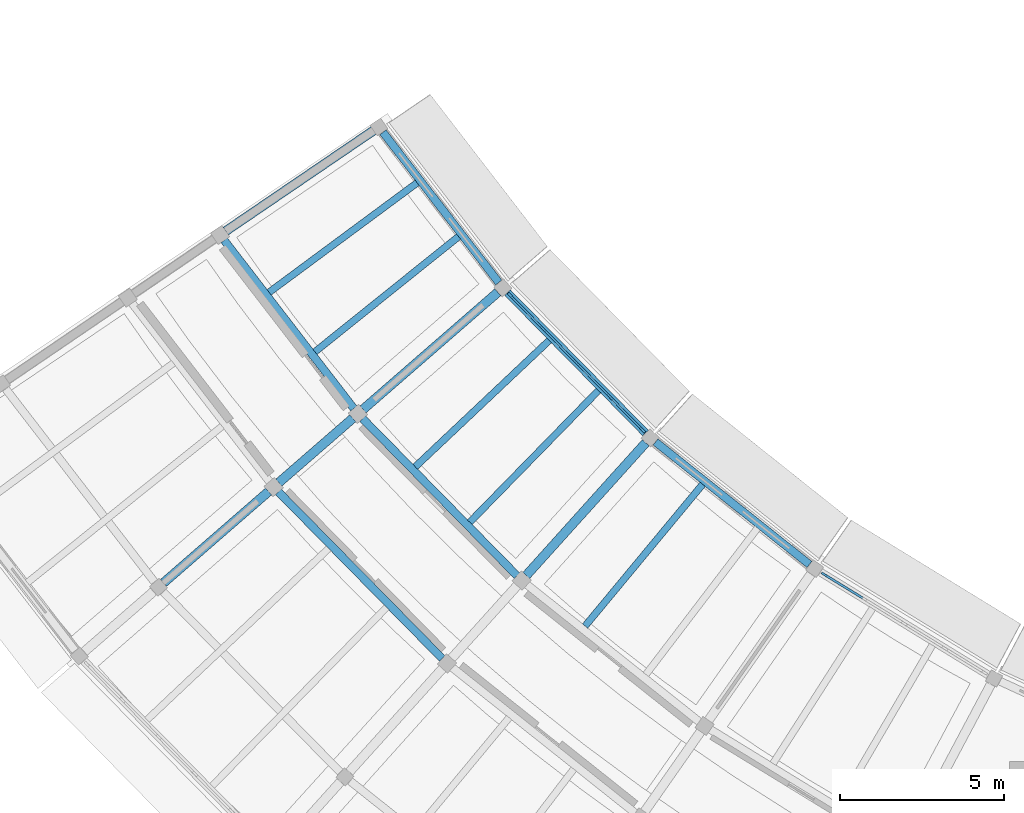
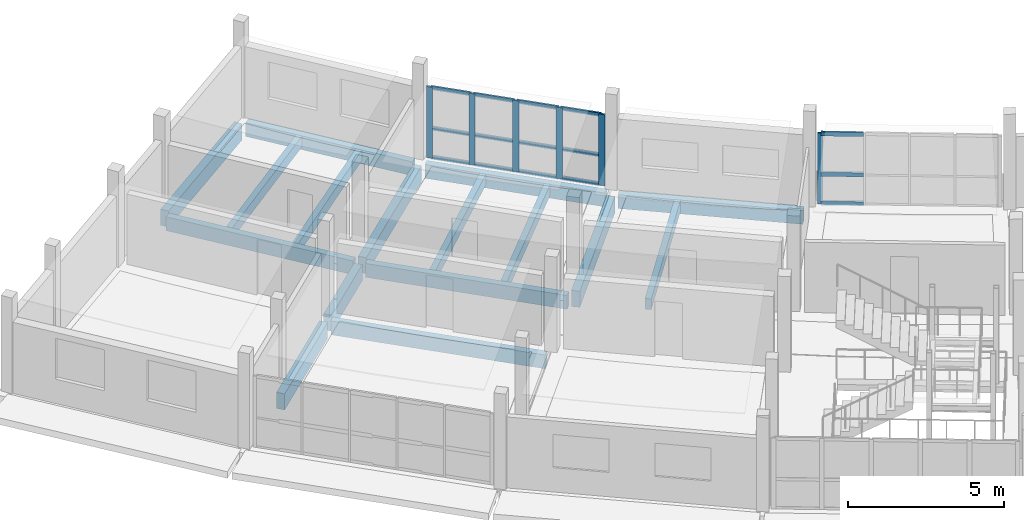
# One storey, part 22 of 77: 21 members, 16 beams, 2 elements without a shape of their own.
"""IFC4 building model written with IfcOpenShell, lengths in metres."""

from ifc_helpers import new_model, si_unit, direction, frame, origin, origin_2d, place, context, subcontext, project, spatial, rectangle, extrude, material, layer, layer_set, material_profile, profile_set, type_object, element, aggregate, save


model = new_model("IFC4")

# Units and contexts
model_context = context("Model", 3, precision=1e-05, world=origin(), true_north=direction((0.0, 1.0)))
body_context = subcontext(model_context, "Body", "Model", "MODEL_VIEW")
ifc_project = project(units=[si_unit("LENGTHUNIT", "METRE"), si_unit("AREAUNIT", "SQUARE_METRE"), si_unit("VOLUMEUNIT", "CUBIC_METRE"), si_unit("PLANEANGLEUNIT", "RADIAN"), si_unit("MASSUNIT", "GRAM", prefix="KILO")], contexts=[model_context])

# Site, building, storey
site_placement = place(None, origin())
site = spatial("IfcSite", under=ifc_project, at=site_placement, CompositionType="ELEMENT")
building_placement = place(site_placement, origin())
building = spatial("IfcBuilding", under=site, at=building_placement, Name="Caldaven Crescent School", CompositionType="ELEMENT")
storey_placement = place(building_placement, frame((0.0, 0.0, 4.419921875)))
storey = spatial("IfcBuildingStorey", under=building, at=storey_placement, Name="L01", CompositionType="ELEMENT", Elevation=4.419921875)

# Beams
ifc_material_1 = material(Name="Glulam MLE24h (GL28h)", Category="wood")
ifc_material_profile_1 = material_profile(ifc_material_1, rectangle(XDim=0.239990234375, YDim=0.5400390625, at=origin_2d()), Name="MLE 240x540")
ifc_profile_set_1 = profile_set([ifc_material_profile_1], Name="Glulam MLE24h (GL28h)")
beam_type_1 = type_object("IfcBeamType", Name="BM-GL54", PredefinedType="BEAM", material=ifc_profile_set_1)
beam_1_placement = place(storey_placement, frame((39.92626953125, 63.038818359375, -0.489990234375), z_axis=(0.610376182502, -0.792111681415, 0.0), x_axis=(0.792111681415, 0.610376182502, 0.0)))
element("IfcBeam", 1, at=beam_1_placement, inside=storey, type_object=beam_type_1, Name="BMT-V4W-L01-0956", PredefinedType="BEAM", context=body_context, shape_type="SweptSolid", body=[
    extrude(rectangle(XDim=0.239990234375, YDim=0.5400390625, at=origin_2d()), origin(), (0.0, 0.0, 1.0), 6.4697265625),
])
beam_2_placement = place(storey_placement, frame((44.14404296875, 57.60546875, -0.489990234375), z_axis=(0.700911097932, -0.713248647244, 0.0), x_axis=(0.713248647244, 0.700911097932, 0.0)))
element("IfcBeam", 2, at=beam_2_placement, inside=storey, type_object=beam_type_1, Name="BMT-V4W-L01-0965", PredefinedType="BEAM", context=body_context, shape_type="SweptSolid", body=[
    extrude(rectangle(XDim=0.239990234375, YDim=0.5400390625, at=origin_2d()), origin(), (0.0, 0.0, 1.0), 6.708251953125),
])
beam_3_placement = place(storey_placement, frame((41.578125, 55.375, -0.489990234375), z_axis=(0.700910785666, -0.713248954109, 0.0), x_axis=(0.713248954109, 0.700910785666, 0.0)))
element("IfcBeam", 3, at=beam_3_placement, inside=storey, type_object=beam_type_1, Name="BMT-V4W-L01-0966", PredefinedType="BEAM", context=body_context, shape_type="SweptSolid", body=[
    extrude(rectangle(XDim=0.239990234375, YDim=0.5400390625, at=origin_2d()), origin(), (0.0, 0.0, 1.0), 7.12353515625),
])
ifc_material_profile_2 = material_profile(ifc_material_1, rectangle(XDim=0.280029296875, YDim=0.6298828125, at=origin_2d()), Name="MLE 280x630")
ifc_profile_set_2 = profile_set([ifc_material_profile_2], Name="Glulam MLE24h (GL28h)")
beam_type_2 = type_object("IfcBeamType", Name="BM-GL63", PredefinedType="BEAM", material=ifc_profile_set_2)
beam_4_placement = place(storey_placement, frame((44.468017578125, 66.376953125, -0.534912109375), z_axis=(-0.826744481423, -0.562577605702, 0.0), x_axis=(0.562577605702, -0.826744481423, 0.0)))
element("IfcBeam", 4, at=beam_4_placement, inside=storey, type_object=beam_type_2, Name="BMR-V4W-L01-0931", PredefinedType="BEAM", context=body_context, shape_type="SweptSolid", body=[
    extrude(rectangle(XDim=0.280029296875, YDim=0.6298828125, at=origin_2d()), origin(), (0.0, 0.0, 1.0), 5.439697265625),
])
beam_5_placement = place(storey_placement, frame((48.2607421875, 61.455322265625, -0.534912109375), z_axis=(-0.754705026579, -0.656064267322, 0.0), x_axis=(0.656064267322, -0.754705026579, 0.0)))
element("IfcBeam", 5, at=beam_5_placement, inside=storey, type_object=beam_type_2, Name="BMR-V4W-L01-0935", PredefinedType="BEAM", context=body_context, shape_type="SweptSolid", body=[
    extrude(rectangle(XDim=0.280029296875, YDim=0.6298828125, at=origin_2d()), origin(), (0.0, 0.0, 1.0), 5.440185546875),
])
beam_6_placement = place(storey_placement, frame((43.845703125, 57.6171875, -0.534912109375), z_axis=(-0.754742623795, -0.656021014775, 0.0), x_axis=(0.656021014775, -0.754742623795, 0.0)))
element("IfcBeam", 6, at=beam_6_placement, inside=storey, type_object=beam_type_2, Name="BMR-V4W-L01-0936", PredefinedType="BEAM", context=body_context, shape_type="SweptSolid", body=[
    extrude(rectangle(XDim=0.280029296875, YDim=0.6298828125, at=origin_2d()), origin(), (0.0, 0.0, 1.0), 2.989990234375),
])
beam_7_placement = place(storey_placement, frame((41.27978515625, 55.38671875, -0.534912109375), z_axis=(-0.754702203892, -0.656067514392, 0.0), x_axis=(0.656067514392, -0.754702203892, 0.0)))
element("IfcBeam", 7, at=beam_7_placement, inside=storey, type_object=beam_type_2, Name="BMR-V4W-L01-0937", PredefinedType="BEAM", context=body_context, shape_type="SweptSolid", body=[
    extrude(rectangle(XDim=0.280029296875, YDim=0.6298828125, at=origin_2d()), origin(), (0.0, 0.0, 1.0), 4.239990234375),
])
beam_8_placement = place(storey_placement, frame((52.766845703125, 56.86962890625, -0.534912109375), z_axis=(-0.669111011515, -0.743162468286, 0.0), x_axis=(0.743162468286, -0.669111011515, 0.0)))
element("IfcBeam", 8, at=beam_8_placement, inside=storey, type_object=beam_type_2, Name="BMR-V4W-L01-0939", PredefinedType="BEAM", context=body_context, shape_type="SweptSolid", body=[
    extrude(rectangle(XDim=0.280029296875, YDim=0.6298828125, at=origin_2d()), origin(), (0.0, 0.0, 1.0), 5.43994140625),
])

# Curtain wall, member
ifc_material_2 = material(Name="Anodised aluminium AA 6063-T6 and low-E double glazing", Category="aluminium")
ifc_layer_1 = layer(ifc_material_2, 0.169921875)
ifc_layer_set_1 = layer_set([ifc_layer_1], Name="Anodised aluminium AA 6063-T6 and low-E double glazing")
curtain_wall_type_1 = type_object("IfcCurtainWallType", Name="CW-SYS1", PredefinedType="NOTDEFINED", material=ifc_layer_set_1)
curtain_wall_1_placement = place(storey_placement, origin())
curtain_wall_1 = element("IfcCurtainWall", 9, at=curtain_wall_1_placement, inside=storey, type_object=curtain_wall_type_1, Name="CW-L01-119", PredefinedType="NOTDEFINED")
ifc_material_3 = material(Name="Anodised aluminium AA 6063-T6", Category="aluminium")
ifc_material_profile_3 = material_profile(ifc_material_3, rectangle(XDim=0.06494140625, YDim=0.179931640625, at=origin_2d()), Name="CWM 65x180")
ifc_profile_set_3 = profile_set([ifc_material_profile_3], Name="Anodised aluminium AA 6063-T6")
member_type_1 = type_object("IfcMemberType", Name="CWM-T2", PredefinedType="MULLION", material=ifc_profile_set_3)
member_1_placement = place(storey_placement, frame((58.199462890625, 52.86181640625, 0.0), z_axis=(0.0, 0.0, 1.0), x_axis=(0.522499392879, 0.852639656854, 0.0)))
member_1 = element("IfcMember", 10, at=member_1_placement, type_object=member_type_1, Name="CW1 mullion 1", PredefinedType="MULLION", context=body_context, shape_type="SweptSolid", body=[
    extrude(rectangle(XDim=0.06494140625, YDim=0.179931640625, at=origin_2d()), origin(), (0.0, 0.0, 1.0), 2.780029296875),
])

# Curtain wall, members
ifc_layer_2 = layer(ifc_material_2, 0.2099609375)
ifc_layer_set_2 = layer_set([ifc_layer_2], Name="Anodised aluminium AA 6063-T6 and low-E double glazing")
curtain_wall_type_2 = type_object("IfcCurtainWallType", Name="CW-SYS3", PredefinedType="NOTDEFINED", material=ifc_layer_set_2)
curtain_wall_2_placement = place(storey_placement, origin())
curtain_wall_2 = element("IfcCurtainWall", 11, at=curtain_wall_2_placement, inside=storey, type_object=curtain_wall_type_2, Name="CW-L01-117", PredefinedType="NOTDEFINED")
ifc_material_profile_4 = material_profile(ifc_material_3, rectangle(XDim=0.070068359375, YDim=0.2099609375, at=origin_2d()), Name="CWM 70x210")
ifc_profile_set_4 = profile_set([ifc_material_profile_4], Name="Anodised aluminium AA 6063-T6")
member_type_2 = type_object("IfcMemberType", Name="CWM-T3", PredefinedType="MULLION", material=ifc_profile_set_4)
member_2_placement = place(storey_placement, frame((48.650390625, 61.350830078125, 0.0), z_axis=(0.0, 0.0, 1.0), x_axis=(0.713250609372, 0.700909101261, 0.0)))
member_2 = element("IfcMember", 12, at=member_2_placement, type_object=member_type_2, Name="CW3 mullion 1", PredefinedType="MULLION", context=body_context, shape_type="SweptSolid", body=[
    extrude(rectangle(XDim=0.070068359375, YDim=0.2099609375, at=origin_2d()), origin(), (0.0, 0.0, 1.0), 2.780029296875),
])
member_3_placement = place(storey_placement, frame((49.642822265625, 60.3408203125, 0.0), z_axis=(0.0, 0.0, 1.0), x_axis=(0.713250609372, 0.700909101261, 0.0)))
member_3 = element("IfcMember", 13, at=member_3_placement, type_object=member_type_2, Name="CW3 mullion 2", PredefinedType="MULLION", context=body_context, shape_type="SweptSolid", body=[
    extrude(rectangle(XDim=0.070068359375, YDim=0.2099609375, at=origin_2d()), origin(), (0.0, 0.0, 1.0), 2.780029296875),
])
member_4_placement = place(storey_placement, frame((50.659912109375, 59.305908203125, 0.0), z_axis=(0.0, 0.0, 1.0), x_axis=(0.713250609372, 0.700909101261, 0.0)))
member_4 = element("IfcMember", 14, at=member_4_placement, type_object=member_type_2, Name="CW3 mullion 3", PredefinedType="MULLION", context=body_context, shape_type="SweptSolid", body=[
    extrude(rectangle(XDim=0.070068359375, YDim=0.2099609375, at=origin_2d()), origin(), (0.0, 0.0, 1.0), 2.780029296875),
])
member_5_placement = place(storey_placement, frame((51.6767578125, 58.27099609375, 0.0), z_axis=(0.0, 0.0, 1.0), x_axis=(0.713250609372, 0.700909101261, 0.0)))
member_5 = element("IfcMember", 15, at=member_5_placement, type_object=member_type_2, Name="CW3 mullion 4", PredefinedType="MULLION", context=body_context, shape_type="SweptSolid", body=[
    extrude(rectangle(XDim=0.070068359375, YDim=0.2099609375, at=origin_2d()), origin(), (0.0, 0.0, 1.0), 2.780029296875),
])
member_6_placement = place(storey_placement, frame((52.669189453125, 57.260986328125, 0.0), z_axis=(0.0, 0.0, 1.0), x_axis=(0.713250609372, 0.700909101261, 0.0)))
member_6 = element("IfcMember", 16, at=member_6_placement, type_object=member_type_2, Name="CW3 mullion 5", PredefinedType="MULLION", context=body_context, shape_type="SweptSolid", body=[
    extrude(rectangle(XDim=0.070068359375, YDim=0.2099609375, at=origin_2d()), origin(), (0.0, 0.0, 1.0), 2.780029296875),
])
ifc_material_profile_5 = material_profile(ifc_material_3, rectangle(XDim=0.06494140625, YDim=0.139892578125, at=origin_2d()), Name="CWT 65x140")
ifc_profile_set_5 = profile_set([ifc_material_profile_5], Name="Anodised aluminium AA 6063-T6")
member_type_3 = type_object("IfcMemberType", Name="CWT-T2", PredefinedType="USERDEFINED", material=ifc_profile_set_5)
member_7_placement = place(storey_placement, frame((48.6748046875, 61.32568359375, 0.032470703125), z_axis=(0.700912435189, -0.713247333116, 0.0), x_axis=(0.713247333116, 0.700912435189, 0.0)))
member_7 = element("IfcMember", 17, at=member_7_placement, type_object=member_type_3, Name="CW3 transom 1.1", ObjectType="TRANSOM", PredefinedType="USERDEFINED", context=body_context, shape_type="SweptSolid", body=[
    extrude(rectangle(XDim=0.06494140625, YDim=0.139892578125, at=origin_2d()), origin(), (0.0, 0.0, 1.0), 1.345947265625),
])
member_8_placement = place(storey_placement, frame((48.6748046875, 61.32568359375, 1.16796875), z_axis=(0.700912435189, -0.713247333116, 0.0), x_axis=(0.713247333116, 0.700912435189, 0.0)))
member_8 = element("IfcMember", 18, at=member_8_placement, type_object=member_type_3, Name="CW3 transom 1.2", ObjectType="TRANSOM", PredefinedType="USERDEFINED", context=body_context, shape_type="SweptSolid", body=[
    extrude(rectangle(XDim=0.06494140625, YDim=0.139892578125, at=origin_2d()), origin(), (0.0, 0.0, 1.0), 1.345947265625),
])
member_9_placement = place(storey_placement, frame((48.6748046875, 61.32568359375, 2.74755859375), z_axis=(0.700912435189, -0.713247333116, 0.0), x_axis=(0.713247333116, 0.700912435189, 0.0)))
member_9 = element("IfcMember", 19, at=member_9_placement, type_object=member_type_3, Name="CW3 transom 1.3", ObjectType="TRANSOM", PredefinedType="USERDEFINED", context=body_context, shape_type="SweptSolid", body=[
    extrude(rectangle(XDim=0.06494140625, YDim=0.139892578125, at=origin_2d()), origin(), (0.0, 0.0, 1.0), 1.345947265625),
])
member_10_placement = place(storey_placement, frame((49.667236328125, 60.31591796875, 0.032470703125), z_axis=(0.700892766313, -0.713266661305, 0.0), x_axis=(0.713266661305, 0.700892766313, 0.0)))
member_10 = element("IfcMember", 20, at=member_10_placement, type_object=member_type_3, Name="CW3 transom 2.1", ObjectType="TRANSOM", PredefinedType="USERDEFINED", context=body_context, shape_type="SweptSolid", body=[
    extrude(rectangle(XDim=0.06494140625, YDim=0.139892578125, at=origin_2d()), origin(), (0.0, 0.0, 1.0), 1.381103515625),
])
member_11_placement = place(storey_placement, frame((49.667236328125, 60.31591796875, 1.16796875), z_axis=(0.700892766313, -0.713266661305, 0.0), x_axis=(0.713266661305, 0.700892766313, 0.0)))
member_11 = element("IfcMember", 21, at=member_11_placement, type_object=member_type_3, Name="CW3 transom 2.2", ObjectType="TRANSOM", PredefinedType="USERDEFINED", context=body_context, shape_type="SweptSolid", body=[
    extrude(rectangle(XDim=0.06494140625, YDim=0.139892578125, at=origin_2d()), origin(), (0.0, 0.0, 1.0), 1.381103515625),
])
member_12_placement = place(storey_placement, frame((49.667236328125, 60.31591796875, 2.74755859375), z_axis=(0.700892766313, -0.713266661305, 0.0), x_axis=(0.713266661305, 0.700892766313, 0.0)))
member_12 = element("IfcMember", 22, at=member_12_placement, type_object=member_type_3, Name="CW3 transom 2.3", ObjectType="TRANSOM", PredefinedType="USERDEFINED", context=body_context, shape_type="SweptSolid", body=[
    extrude(rectangle(XDim=0.06494140625, YDim=0.139892578125, at=origin_2d()), origin(), (0.0, 0.0, 1.0), 1.381103515625),
])
member_13_placement = place(storey_placement, frame((50.684326171875, 59.281005859375, 0.032470703125), z_axis=(0.700892766313, -0.713266661305, 0.0), x_axis=(0.713266661305, 0.700892766313, 0.0)))
member_13 = element("IfcMember", 23, at=member_13_placement, type_object=member_type_3, Name="CW3 transom 3.1", ObjectType="TRANSOM", PredefinedType="USERDEFINED", context=body_context, shape_type="SweptSolid", body=[
    extrude(rectangle(XDim=0.06494140625, YDim=0.139892578125, at=origin_2d()), origin(), (0.0, 0.0, 1.0), 1.381103515625),
])
member_14_placement = place(storey_placement, frame((50.684326171875, 59.281005859375, 1.16796875), z_axis=(0.700892766313, -0.713266661305, 0.0), x_axis=(0.713266661305, 0.700892766313, 0.0)))
member_14 = element("IfcMember", 24, at=member_14_placement, type_object=member_type_3, Name="CW3 transom 3.2", ObjectType="TRANSOM", PredefinedType="USERDEFINED", context=body_context, shape_type="SweptSolid", body=[
    extrude(rectangle(XDim=0.06494140625, YDim=0.139892578125, at=origin_2d()), origin(), (0.0, 0.0, 1.0), 1.381103515625),
])
member_15_placement = place(storey_placement, frame((50.684326171875, 59.281005859375, 2.74755859375), z_axis=(0.700892766313, -0.713266661305, 0.0), x_axis=(0.713266661305, 0.700892766313, 0.0)))
member_15 = element("IfcMember", 25, at=member_15_placement, type_object=member_type_3, Name="CW3 transom 3.3", ObjectType="TRANSOM", PredefinedType="USERDEFINED", context=body_context, shape_type="SweptSolid", body=[
    extrude(rectangle(XDim=0.06494140625, YDim=0.139892578125, at=origin_2d()), origin(), (0.0, 0.0, 1.0), 1.381103515625),
])
member_16_placement = place(storey_placement, frame((51.701416015625, 58.24609375, 0.032470703125), z_axis=(0.700821757278, -0.713336431515, 0.0), x_axis=(0.713336431515, 0.700821757278, 0.0)))
member_16 = element("IfcMember", 26, at=member_16_placement, type_object=member_type_3, Name="CW3 transom 4.1", ObjectType="TRANSOM", PredefinedType="USERDEFINED", context=body_context, shape_type="SweptSolid", body=[
    extrude(rectangle(XDim=0.06494140625, YDim=0.139892578125, at=origin_2d()), origin(), (0.0, 0.0, 1.0), 1.34619140625),
])
member_17_placement = place(storey_placement, frame((51.701416015625, 58.24609375, 1.16796875), z_axis=(0.700821757278, -0.713336431515, 0.0), x_axis=(0.713336431515, 0.700821757278, 0.0)))
member_17 = element("IfcMember", 27, at=member_17_placement, type_object=member_type_3, Name="CW3 transom 4.2", ObjectType="TRANSOM", PredefinedType="USERDEFINED", context=body_context, shape_type="SweptSolid", body=[
    extrude(rectangle(XDim=0.06494140625, YDim=0.139892578125, at=origin_2d()), origin(), (0.0, 0.0, 1.0), 1.34619140625),
])
member_18_placement = place(storey_placement, frame((51.701416015625, 58.24609375, 2.74755859375), z_axis=(0.700821757278, -0.713336431515, 0.0), x_axis=(0.713336431515, 0.700821757278, 0.0)))
member_18 = element("IfcMember", 28, at=member_18_placement, type_object=member_type_3, Name="CW3 transom 4.3", ObjectType="TRANSOM", PredefinedType="USERDEFINED", context=body_context, shape_type="SweptSolid", body=[
    extrude(rectangle(XDim=0.06494140625, YDim=0.139892578125, at=origin_2d()), origin(), (0.0, 0.0, 1.0), 1.34619140625),
])
aggregate(curtain_wall_2, [member_2, member_3, member_4, member_5, member_6, member_7, member_8, member_9, member_10, member_11, member_12, member_13, member_14, member_15, member_16, member_17, member_18])

# Member
ifc_material_profile_6 = material_profile(ifc_material_3, rectangle(XDim=0.070068359375, YDim=0.159912109375, at=origin_2d()), Name="CWT 70x160")
ifc_profile_set_6 = profile_set([ifc_material_profile_6], Name="Anodised aluminium AA 6063-T6")
member_type_4 = type_object("IfcMemberType", Name="CWT-T3", PredefinedType="USERDEFINED", material=ifc_profile_set_6)
member_19_placement = place(storey_placement, frame((58.22705078125, 52.8447265625, 0.03515625), z_axis=(0.852616806019, -0.522536680143, 0.0), x_axis=(0.522536680143, 0.852616806019, 0.0)))
member_19 = element("IfcMember", 29, at=member_19_placement, type_object=member_type_4, Name="CW1 transom 1.1", ObjectType="TRANSOM", PredefinedType="USERDEFINED", context=body_context, shape_type="SweptSolid", body=[
    extrude(rectangle(XDim=0.070068359375, YDim=0.159912109375, at=origin_2d()), origin(), (0.0, 0.0, 1.0), 1.353515625),
])

member_20_placement = place(storey_placement, frame((58.22705078125, 52.8447265625, 1.16796875), z_axis=(0.852616806019, -0.522536680143, 0.0), x_axis=(0.522536680143, 0.852616806019, 0.0)))
member_20 = element("IfcMember", 30, at=member_20_placement, type_object=member_type_4, Name="CW1 transom 1.2", ObjectType="TRANSOM", PredefinedType="USERDEFINED", context=body_context, shape_type="SweptSolid", body=[
    extrude(rectangle(XDim=0.070068359375, YDim=0.159912109375, at=origin_2d()), origin(), (0.0, 0.0, 1.0), 1.353515625),
])

member_21_placement = place(storey_placement, frame((58.22705078125, 52.8447265625, 2.7451171875), z_axis=(0.852616806019, -0.522536680143, 0.0), x_axis=(0.522536680143, 0.852616806019, 0.0)))
member_21 = element("IfcMember", 31, at=member_21_placement, type_object=member_type_4, Name="CW1 transom 1.3", ObjectType="TRANSOM", PredefinedType="USERDEFINED", context=body_context, shape_type="SweptSolid", body=[
    extrude(rectangle(XDim=0.070068359375, YDim=0.159912109375, at=origin_2d()), origin(), (0.0, 0.0, 1.0), 1.353515625),
])

aggregate(curtain_wall_1, [member_1, member_19, member_20, member_21])

# Beams
ifc_material_profile_7 = material_profile(ifc_material_1, rectangle(XDim=0.2099609375, YDim=0.419921875, at=origin_2d()), Name="MLE 210x420")
ifc_profile_set_7 = profile_set([ifc_material_profile_7], Name="Glulam MLE24h (GL28h)")
beam_type_3 = type_object("IfcBeamType", Name="JS-GL42", PredefinedType="JOIST", material=ifc_profile_set_7)
for number, where, z_axis, x_axis, name in (
    (32, (45.804443359375, 64.789794921875, -0.429931640625), (-0.803966298861, -0.594674860991, 0.0), (0.594674860991, -0.803966298861, 0.0), "JSR-V4W-L01-0960"),
    (33, (47.06640625, 63.15185546875, -0.429931640625), (-0.779916998743, -0.625882956367, 0.0), (0.625882956367, -0.779916998743, 0.0), "JSR-V4W-L01-0962"),
):
    element("IfcBeam", number, at=place(storey_placement, frame(where, z_axis=z_axis, x_axis=x_axis)), inside=storey, type_object=beam_type_3, Name=name, PredefinedType="JOIST", context=body_context, shape_type="SweptSolid", body=[
        extrude(rectangle(XDim=0.2099609375, YDim=0.419921875, at=origin_2d()), origin(), (0.0, 0.0, 1.0), 5.61083984375),
    ])
for number, where, z_axis, x_axis, name in (
    (34, (49.828125, 59.98828125, -0.429931640625), (-0.727411275008, -0.686201746566, 0.0), (0.686201746566, -0.727411275008, 0.0), "JSR-V4W-L01-0969"),
    (35, (51.32763671875, 58.46240234375, -0.429931640625), (-0.698812543593, -0.715304850338, 0.0), (0.715304850338, -0.698812543593, 0.0), "JSR-V4W-L01-0971"),
    (36, (54.501220703125, 55.604736328125, -0.429931640625), (-0.638337756262, -0.769756395836, 0.0), (0.769756395836, -0.638337756262, 0.0), "JSR-V4W-L01-0978"),
):
    element("IfcBeam", number, at=place(storey_placement, frame(where, z_axis=z_axis, x_axis=x_axis)), inside=storey, type_object=beam_type_3, Name=name, PredefinedType="JOIST", context=body_context, shape_type="SweptSolid", body=[
        extrude(rectangle(XDim=0.2099609375, YDim=0.419921875, at=origin_2d()), origin(), (0.0, 0.0, 1.0), 5.6103515625),
    ])
ifc_material_profile_8 = material_profile(ifc_material_1, rectangle(XDim=0.239990234375, YDim=0.5400390625, at=origin_2d()), Name="MLE 240x540")
ifc_profile_set_8 = profile_set([ifc_material_profile_8], Name="Glulam MLE24h (GL28h)")
beam_type_4 = type_object("IfcBeamType", Name="SP-GL54", PredefinedType="SPANDREL", material=ifc_profile_set_8)
beam_9_placement = place(storey_placement, frame((44.7626953125, 66.330078125, -0.489990234375), z_axis=(0.610378119485, -0.792110188834, 0.0), x_axis=(0.792110188834, 0.610378119485, 0.0)))
element("IfcBeam", 37, at=beam_9_placement, inside=storey, type_object=beam_type_4, Name="BMT-V4W-L01-0955", PredefinedType="SPANDREL", context=body_context, shape_type="SweptSolid", body=[
    extrude(rectangle(XDim=0.239990234375, YDim=0.5400390625, at=origin_2d()), origin(), (0.0, 0.0, 1.0), 5.779296875),
])
for number, where, z_axis, x_axis, name in (
    (38, (48.55908203125, 61.443603515625, -0.489990234375), (0.700909378847, -0.713250336589, 0.0), (0.713250336589, 0.700909378847, 0.0), "BMT-V4W-L01-0964"),
    (39, (53.064453125, 56.89453125, -0.489990234375), (0.782598348242, -0.622526967551, 0.0), (0.622526967551, 0.782598348242, 0.0), "BMT-V4W-L01-0973"),
):
    element("IfcBeam", number, at=place(storey_placement, frame(where, z_axis=z_axis, x_axis=x_axis)), inside=storey, type_object=beam_type_4, Name=name, PredefinedType="SPANDREL", context=body_context, shape_type="SweptSolid", body=[
        extrude(rectangle(XDim=0.239990234375, YDim=0.5400390625, at=origin_2d()), origin(), (0.0, 0.0, 1.0), 5.994140625),
    ])

save(model, "model.ifc")
